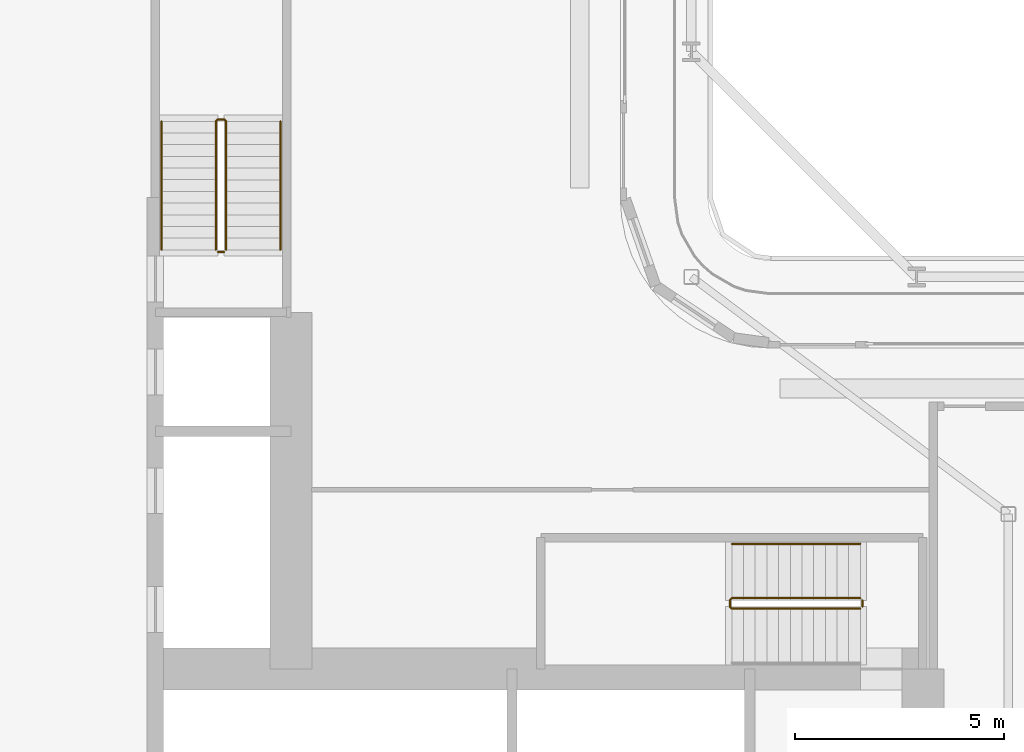
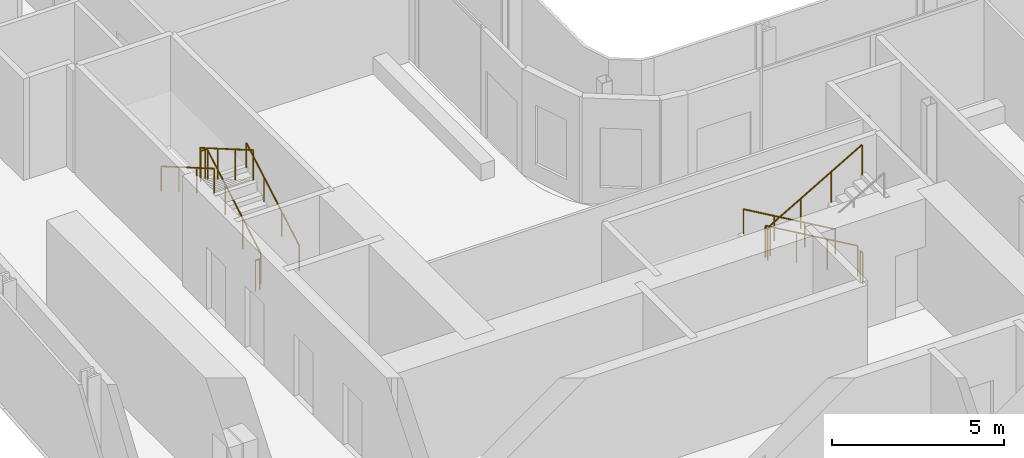
# One storey, part 24 of 29: 7 railings.
"""IFC4 building model written with IfcOpenShell, lengths in metres."""

from ifc_helpers import new_model, si_unit, direction, frame, origin, origin_2d, place, context, subcontext, project, spatial, circle, extrude, material, type_object, element, save


model = new_model("IFC4")

# Units and contexts
model_context = context("Model", 3, precision=1e-05, world=origin(), true_north=direction((0.0, 1.0)))
body_context = subcontext(model_context, "Body", "Model", "MODEL_VIEW")
ifc_project = project(units=[si_unit("LENGTHUNIT", "METRE"), si_unit("AREAUNIT", "SQUARE_METRE"), si_unit("VOLUMEUNIT", "CUBIC_METRE"), si_unit("PLANEANGLEUNIT", "RADIAN"), si_unit("MASSUNIT", "GRAM", prefix="KILO")], contexts=[model_context])

# Site, building, storey
site_placement = place(None, origin())
site = spatial("IfcSite", under=ifc_project, at=site_placement, CompositionType="ELEMENT")
building_placement = place(site_placement, origin())
building = spatial("IfcBuilding", under=site, at=building_placement, Name="Kheshtan School and Residences Tower", CompositionType="ELEMENT")
storey_placement = place(building_placement, frame((0.0, 0.0, 65.60009765625)))
storey = spatial("IfcBuildingStorey", under=building, at=storey_placement, Name="L15", CompositionType="ELEMENT", Elevation=65.60009765625)

# Railings
ifc_material_1 = material(Name="Stainless steel balustrade", Category="steel")
railing_type_1 = type_object("IfcRailingType", Name="Stair guard 1100", PredefinedType="GUARDRAIL", material=ifc_material_1)
railing_1_placement = place(storey_placement, frame((51.64990234375, 37.89990234375, 0.162353515625)))
element("IfcRailing", 1, at=railing_1_placement, inside=storey, type_object=railing_type_1, Name="L15 ST1 stair guard 1", PredefinedType="GUARDRAIL", context=body_context, shape_type="SweptSolid", body=[
    extrude(circle(Radius=0.02392578125, at=origin_2d()), frame((0.0, 0.0, 1.076171875), z_axis=(-0.864873446163, 0.0, 0.501989962173), x_axis=(0.0, -1.0, 0.0)), (0.0, 0.0, 1.0), 3.56103515625),
    extrude(circle(Radius=0.02392578125, at=origin_2d()), frame((-3.079833984375, 0.0, 2.86376953125), z_axis=(-0.708833529934, -0.705375805398, 0.0), x_axis=(0.705375805398, -0.708833529934, 0.0)), (0.0, 0.0, 1.0), 0.070556640625),
    extrude(circle(Radius=0.02392578125, at=origin_2d()), frame((-3.1298828125, -0.0498046875, 2.86376953125), z_axis=(0.0, -1.0, 0.0), x_axis=(1.0, 0.0, 0.0)), (0.0, 0.0, 1.0), 0.150146484375),
    extrude(circle(Radius=0.02392578125, at=origin_2d()), frame((-3.1298828125, -0.199951171875, 2.86376953125), z_axis=(0.282583949758, -0.282583949758, 0.916674763849), x_axis=(0.707106781187, 0.707106781187, 0.0)), (0.0, 0.0, 1.0), 0.177001953125),
    extrude(circle(Radius=0.02392578125, at=origin_2d()), frame((-3.079833984375, -0.25, 3.02587890625), z_axis=(0.864873446163, 0.0, 0.501989962173), x_axis=(0.0, 1.0, 0.0)), (0.0, 0.0, 1.0), 3.56103515625),
    extrude(circle(Radius=0.02099609375, at=origin_2d()), origin(), (0.0, 0.0, 1.0), 1.052001953125),
    extrude(circle(Radius=0.02099609375, at=origin_2d()), frame((-1.026611328125, 0.0, 0.595947265625)), (0.0, 0.0, 1.0), 1.052001953125),
    extrude(circle(Radius=0.02099609375, at=origin_2d()), frame((-2.05322265625, 0.0, 1.191650390625)), (0.0, 0.0, 1.0), 1.052001953125),
    extrude(circle(Radius=0.02099609375, at=origin_2d()), frame((-3.079833984375, 0.0, 1.78759765625)), (0.0, 0.0, 1.0), 1.052001953125),
    extrude(circle(Radius=0.02099609375, at=origin_2d()), frame((-3.1298828125, -0.0498046875, 1.78759765625)), (0.0, 0.0, 1.0), 1.052001953125),
    extrude(circle(Radius=0.02099609375, at=origin_2d()), frame((-3.1298828125, -0.199951171875, 1.78759765625)), (0.0, 0.0, 1.0), 1.052001953125),
    extrude(circle(Radius=0.02099609375, at=origin_2d()), frame((-3.079833984375, -0.25, 1.949951171875)), (0.0, 0.0, 1.0), 1.052001953125),
    extrude(circle(Radius=0.02099609375, at=origin_2d()), frame((-2.05322265625, -0.25, 2.5458984375)), (0.0, 0.0, 1.0), 1.052001953125),
    extrude(circle(Radius=0.02099609375, at=origin_2d()), frame((-1.026611328125, -0.25, 3.1416015625)), (0.0, 0.0, 1.0), 1.052001953125),
    extrude(circle(Radius=0.02099609375, at=origin_2d()), frame((0.0, -0.25, 3.737548828125)), (0.0, 0.0, 1.0), 1.052001953125),
])
railing_2_placement = place(storey_placement, frame((51.699951171875, 37.85009765625, 0.0)))
element("IfcRailing", 2, at=railing_2_placement, inside=storey, type_object=railing_type_1, Name="L15 ST1 stair guard 2", PredefinedType="GUARDRAIL", context=body_context, shape_type="SweptSolid", body=[
    extrude(circle(Radius=0.02392578125, at=origin_2d()), frame((0.0, 0.0, 1.076171875), z_axis=(0.0, -1.0, 0.0), x_axis=(1.0, 0.0, 0.0)), (0.0, 0.0, 1.0), 0.150146484375),
    extrude(circle(Radius=0.02099609375, at=origin_2d()), origin(), (0.0, 0.0, 1.0), 1.052001953125),
    extrude(circle(Radius=0.02099609375, at=origin_2d()), frame((0.0, -0.150146484375, 0.0)), (0.0, 0.0, 1.0), 1.052001953125),
])
railing_3_placement = place(storey_placement, frame((36.449951171875, 46.25, 0.162353515625)))
element("IfcRailing", 3, at=railing_3_placement, inside=storey, type_object=railing_type_1, Name="L15 ST2 stair guard 1", PredefinedType="GUARDRAIL", context=body_context, shape_type="SweptSolid", body=[
    extrude(circle(Radius=0.02392578125, at=origin_2d()), frame((0.0, 0.0, 1.076171875), z_axis=(0.0, 0.864890721111, 0.501960198159), x_axis=(-1.0, 0.0, 0.0)), (0.0, 0.0, 1.0), 3.561279296875),
    extrude(circle(Radius=0.02392578125, at=origin_2d()), frame((0.0, 3.080078125, 2.86376953125), z_axis=(-0.708833529934, 0.705375805398, 0.0), x_axis=(-0.705375805398, -0.708833529934, 0.0)), (0.0, 0.0, 1.0), 0.070556640625),
    extrude(circle(Radius=0.02392578125, at=origin_2d()), frame((-0.050048828125, 3.1298828125, 2.86376953125), z_axis=(-1.0, 0.0, 0.0), x_axis=(0.0, -1.0, 0.0)), (0.0, 0.0, 1.0), 0.14990234375),
    extrude(circle(Radius=0.02392578125, at=origin_2d()), frame((-0.199951171875, 3.1298828125, 2.86376953125), z_axis=(-0.282693820306, -0.281314826061, 0.917031173188), x_axis=(0.705375805398, -0.708833529934, 0.0)), (0.0, 0.0, 1.0), 0.177001953125),
    extrude(circle(Radius=0.02392578125, at=origin_2d()), frame((-0.25, 3.080078125, 3.02587890625), z_axis=(0.0, -0.864890721111, 0.501960198159), x_axis=(1.0, 0.0, 0.0)), (0.0, 0.0, 1.0), 3.561279296875),
    extrude(circle(Radius=0.02099609375, at=origin_2d()), origin(), (0.0, 0.0, 1.0), 1.052001953125),
    extrude(circle(Radius=0.02099609375, at=origin_2d()), frame((0.0, 1.026611328125, 0.595947265625)), (0.0, 0.0, 1.0), 1.052001953125),
    extrude(circle(Radius=0.02099609375, at=origin_2d()), frame((0.0, 2.053466796875, 1.191650390625)), (0.0, 0.0, 1.0), 1.052001953125),
    extrude(circle(Radius=0.02099609375, at=origin_2d()), frame((0.0, 3.080078125, 1.78759765625)), (0.0, 0.0, 1.0), 1.052001953125),
    extrude(circle(Radius=0.02099609375, at=origin_2d()), frame((-0.050048828125, 3.1298828125, 1.78759765625)), (0.0, 0.0, 1.0), 1.052001953125),
    extrude(circle(Radius=0.02099609375, at=origin_2d()), frame((-0.199951171875, 3.1298828125, 1.78759765625)), (0.0, 0.0, 1.0), 1.052001953125),
    extrude(circle(Radius=0.02099609375, at=origin_2d()), frame((-0.25, 3.080078125, 1.949951171875)), (0.0, 0.0, 1.0), 1.052001953125),
    extrude(circle(Radius=0.02099609375, at=origin_2d()), frame((-0.25, 2.053466796875, 2.5458984375)), (0.0, 0.0, 1.0), 1.052001953125),
    extrude(circle(Radius=0.02099609375, at=origin_2d()), frame((-0.25, 1.026611328125, 3.1416015625)), (0.0, 0.0, 1.0), 1.052001953125),
    extrude(circle(Radius=0.02099609375, at=origin_2d()), frame((-0.25, 0.0, 3.737548828125)), (0.0, 0.0, 1.0), 1.052001953125),
])
railing_4_placement = place(storey_placement, frame((36.39990234375, 46.199951171875, 0.0)))
element("IfcRailing", 4, at=railing_4_placement, inside=storey, type_object=railing_type_1, Name="L15 ST2 stair guard 2", PredefinedType="GUARDRAIL", context=body_context, shape_type="SweptSolid", body=[
    extrude(circle(Radius=0.02392578125, at=origin_2d()), frame((0.0, 0.0, 1.076171875), z_axis=(-1.0, 0.0, 0.0), x_axis=(0.0, -1.0, 0.0)), (0.0, 0.0, 1.0), 0.14990234375),
    extrude(circle(Radius=0.02099609375, at=origin_2d()), origin(), (0.0, 0.0, 1.0), 1.052001953125),
    extrude(circle(Radius=0.02099609375, at=origin_2d()), frame((-0.14990234375, 0.0, 0.0)), (0.0, 0.0, 1.0), 1.052001953125),
])
ifc_material_2 = material(Name="Stainless steel handrail", Category="steel")
railing_type_2 = type_object("IfcRailingType", Name="Stair handrail 900", PredefinedType="HANDRAIL", material=ifc_material_2)
railing_5_placement = place(storey_placement, frame((51.64990234375, 39.199951171875, 0.162353515625)))
element("IfcRailing", 5, at=railing_5_placement, inside=storey, type_object=railing_type_2, Name="L15 ST1 stair handrail 1", PredefinedType="HANDRAIL", context=body_context, shape_type="SweptSolid", body=[
    extrude(circle(Radius=0.02392578125, at=origin_2d()), frame((0.0, 0.0, 0.8759765625), z_axis=(-0.864873446163, 0.0, 0.501989962173), x_axis=(0.0, -1.0, 0.0)), (0.0, 0.0, 1.0), 3.56103515625),
    extrude(circle(Radius=0.02099609375, at=origin_2d()), origin(), (0.0, 0.0, 1.0), 0.851806640625),
    extrude(circle(Radius=0.02099609375, at=origin_2d()), frame((-1.026611328125, 0.0, 0.595947265625)), (0.0, 0.0, 1.0), 0.851806640625),
    extrude(circle(Radius=0.02099609375, at=origin_2d()), frame((-2.05322265625, 0.0, 1.191650390625)), (0.0, 0.0, 1.0), 0.851806640625),
    extrude(circle(Radius=0.02099609375, at=origin_2d()), frame((-3.079833984375, 0.0, 1.78759765625)), (0.0, 0.0, 1.0), 0.851806640625),
])
railing_6_placement = place(storey_placement, frame((37.75, 46.25, 0.162353515625)))
element("IfcRailing", 6, at=railing_6_placement, inside=storey, type_object=railing_type_2, Name="L15 ST2 stair handrail 1", PredefinedType="HANDRAIL", context=body_context, shape_type="SweptSolid", body=[
    extrude(circle(Radius=0.02392578125, at=origin_2d()), frame((0.0, 0.0, 0.8759765625), z_axis=(0.0, 0.864890721111, 0.501960198159), x_axis=(-1.0, 0.0, 0.0)), (0.0, 0.0, 1.0), 3.561279296875),
    extrude(circle(Radius=0.02099609375, at=origin_2d()), origin(), (0.0, 0.0, 1.0), 0.851806640625),
    extrude(circle(Radius=0.02099609375, at=origin_2d()), frame((0.0, 1.026611328125, 0.595947265625)), (0.0, 0.0, 1.0), 0.851806640625),
    extrude(circle(Radius=0.02099609375, at=origin_2d()), frame((0.0, 2.053466796875, 1.191650390625)), (0.0, 0.0, 1.0), 0.851806640625),
    extrude(circle(Radius=0.02099609375, at=origin_2d()), frame((0.0, 3.080078125, 1.78759765625)), (0.0, 0.0, 1.0), 0.851806640625),
])
railing_7_placement = place(storey_placement, frame((34.89990234375, 49.330078125, 2.1123046875)))
element("IfcRailing", 7, at=railing_7_placement, inside=storey, type_object=railing_type_2, Name="L15 ST2 stair handrail 2", PredefinedType="HANDRAIL", context=body_context, shape_type="SweptSolid", body=[
    extrude(circle(Radius=0.02392578125, at=origin_2d()), frame((0.0, 0.0, 0.8759765625), z_axis=(0.0, -0.864890721111, 0.501960198159), x_axis=(1.0, 0.0, 0.0)), (0.0, 0.0, 1.0), 3.561279296875),
    extrude(circle(Radius=0.02099609375, at=origin_2d()), origin(), (0.0, 0.0, 1.0), 0.851806640625),
    extrude(circle(Radius=0.02099609375, at=origin_2d()), frame((0.0, -1.026611328125, 0.595947265625)), (0.0, 0.0, 1.0), 0.851806640625),
    extrude(circle(Radius=0.02099609375, at=origin_2d()), frame((0.0, -2.053466796875, 1.191650390625)), (0.0, 0.0, 1.0), 0.851806640625),
    extrude(circle(Radius=0.02099609375, at=origin_2d()), frame((0.0, -3.080078125, 1.78759765625)), (0.0, 0.0, 1.0), 0.851806640625),
])

save(model, "model.ifc")
